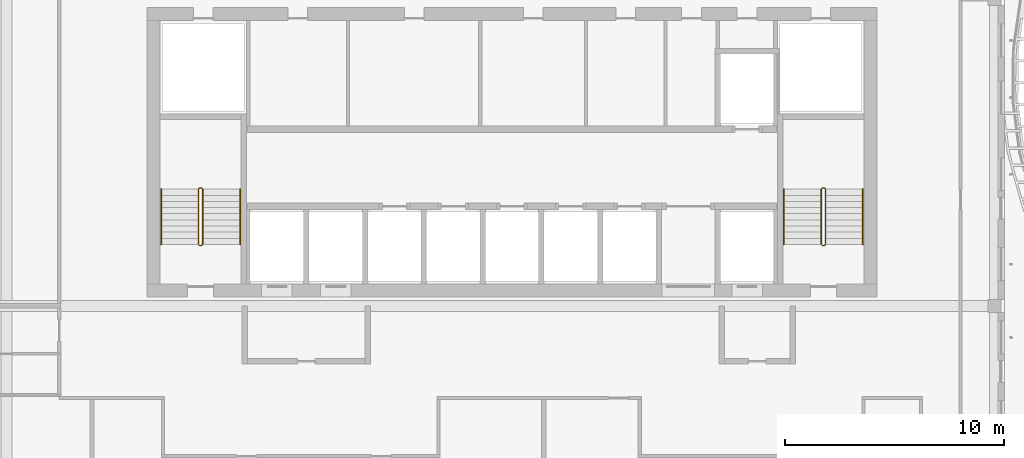
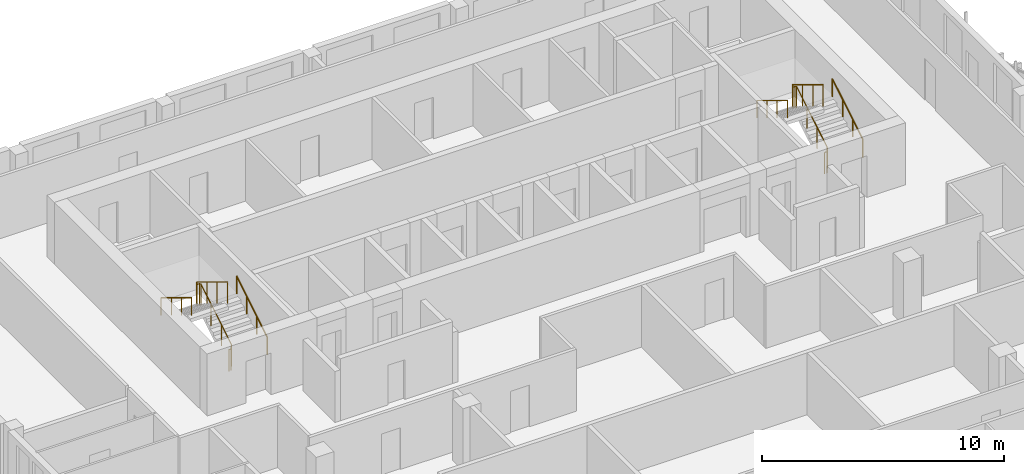
# One storey, part 16 of 17: 6 railings.
"""IFC4 building model written with IfcOpenShell, lengths in metres."""

from ifc_helpers import new_model, si_unit, direction, frame, origin, origin_2d, place, context, subcontext, project, spatial, circle, extrude, material, type_object, element, save


model = new_model("IFC4")

# Units and contexts
model_context = context("Model", 3, precision=1e-05, world=origin(), true_north=direction((0.0, 1.0)))
body_context = subcontext(model_context, "Body", "Model", "MODEL_VIEW")
ifc_project = project(units=[si_unit("LENGTHUNIT", "METRE"), si_unit("AREAUNIT", "SQUARE_METRE"), si_unit("VOLUMEUNIT", "CUBIC_METRE"), si_unit("PLANEANGLEUNIT", "RADIAN"), si_unit("MASSUNIT", "GRAM", prefix="KILO")], contexts=[model_context])

# Site, building, storey
site_placement = place(None, origin())
site = spatial("IfcSite", under=ifc_project, at=site_placement, CompositionType="ELEMENT")
building_placement = place(site_placement, origin())
building = spatial("IfcBuilding", under=site, at=building_placement, Name="Kilnfold Tower and Market Hall", CompositionType="ELEMENT")
storey_placement = place(building_placement, frame((0.0, 0.0, 305.199951171875)))
storey = spatial("IfcBuildingStorey", under=building, at=storey_placement, Name="L76", CompositionType="ELEMENT", Elevation=305.199951171875)

# Railings
ifc_material_1 = material(Name="Stainless steel 316", Category="steel")
railing_type_1 = type_object("IfcRailingType", Name="CORE STAIR GUARD 1100", PredefinedType="GUARDRAIL", material=ifc_material_1)
railing_1_placement = place(storey_placement, frame((-13.199951171875, 10.75, 0.0)))
element("IfcRailing", 1, at=railing_1_placement, inside=storey, type_object=railing_type_1, Name="L76 ST1 stair guard 1", PredefinedType="GUARDRAIL", context=body_context, shape_type="SweptSolid", body=[
    extrude(circle(Radius=0.02392578125, at=origin_2d()), frame((0.0, 0.0, 1.076171875), z_axis=(1.0, 0.0, 0.0), x_axis=(0.0, 1.0, 0.0)), (0.0, 0.0, 1.0), 0.099853515625),
    extrude(circle(Radius=0.02392578125, at=origin_2d()), frame((0.099853515625, 0.0, 1.076171875), z_axis=(0.271562723297, 0.271562723297, 0.923313259209), x_axis=(-0.707106781187, 0.707106781187, 0.0)), (0.0, 0.0, 1.0), 0.184326171875),
    extrude(circle(Radius=0.02392578125, at=origin_2d()), frame((0.14990234375, 0.050048828125, 1.24609375), z_axis=(0.0, 0.854821627497, 0.518921945155), x_axis=(-1.0, 0.0, 0.0)), (0.0, 0.0, 1.0), 2.947998046875),
    extrude(circle(Radius=0.02392578125, at=origin_2d()), frame((0.14990234375, 2.570068359375, 2.77587890625), z_axis=(-0.707106781187, 0.707106781187, 0.0), x_axis=(-0.707106781187, -0.707106781187, 0.0)), (0.0, 0.0, 1.0), 0.07080078125),
    extrude(circle(Radius=0.02392578125, at=origin_2d()), frame((0.099853515625, 2.6201171875, 2.77587890625), z_axis=(-1.0, 0.0, 0.0), x_axis=(0.0, -1.0, 0.0)), (0.0, 0.0, 1.0), 0.099853515625),
    extrude(circle(Radius=0.02392578125, at=origin_2d()), frame((0.0, 2.6201171875, 2.77587890625), z_axis=(-0.271562723297, -0.271562723297, 0.923313259209), x_axis=(0.707106781187, -0.707106781187, 0.0)), (0.0, 0.0, 1.0), 0.184326171875),
    extrude(circle(Radius=0.02392578125, at=origin_2d()), frame((-0.050048828125, 2.570068359375, 2.9462890625), z_axis=(0.0, -0.85478489116, 0.518982456201), x_axis=(1.0, 0.0, 0.0)), (0.0, 0.0, 1.0), 2.9482421875),
    extrude(circle(Radius=0.02099609375, at=origin_2d()), origin(), (0.0, 0.0, 1.0), 1.052001953125),
    extrude(circle(Radius=0.02099609375, at=origin_2d()), frame((0.099853515625, 0.0, 0.0)), (0.0, 0.0, 1.0), 1.052001953125),
    extrude(circle(Radius=0.02099609375, at=origin_2d()), frame((0.14990234375, 0.050048828125, 0.170166015625)), (0.0, 0.0, 1.0), 1.052001953125),
    extrude(circle(Radius=0.02099609375, at=origin_2d()), frame((0.14990234375, 0.89013671875, 0.68017578125)), (0.0, 0.0, 1.0), 1.052001953125),
    extrude(circle(Radius=0.02099609375, at=origin_2d()), frame((0.14990234375, 1.72998046875, 1.18994140625)), (0.0, 0.0, 1.0), 1.052001953125),
    extrude(circle(Radius=0.02099609375, at=origin_2d()), frame((0.14990234375, 2.570068359375, 1.699951171875)), (0.0, 0.0, 1.0), 1.052001953125),
    extrude(circle(Radius=0.02099609375, at=origin_2d()), frame((0.099853515625, 2.6201171875, 1.699951171875)), (0.0, 0.0, 1.0), 1.052001953125),
    extrude(circle(Radius=0.02099609375, at=origin_2d()), frame((0.0, 2.6201171875, 1.699951171875)), (0.0, 0.0, 1.0), 1.052001953125),
    extrude(circle(Radius=0.02099609375, at=origin_2d()), frame((-0.050048828125, 2.570068359375, 1.8701171875)), (0.0, 0.0, 1.0), 1.052001953125),
    extrude(circle(Radius=0.02099609375, at=origin_2d()), frame((-0.050048828125, 1.72998046875, 2.380126953125)), (0.0, 0.0, 1.0), 1.052001953125),
    extrude(circle(Radius=0.02099609375, at=origin_2d()), frame((-0.050048828125, 0.89013671875, 2.89013671875)), (0.0, 0.0, 1.0), 1.052001953125),
    extrude(circle(Radius=0.02099609375, at=origin_2d()), frame((-0.050048828125, 0.050048828125, 3.400146484375)), (0.0, 0.0, 1.0), 1.052001953125),
])
railing_2_placement = place(storey_placement, frame((15.199951171875, 10.75, 0.0)))
element("IfcRailing", 2, at=railing_2_placement, inside=storey, type_object=railing_type_1, Name="L76 ST2 stair guard 1", PredefinedType="GUARDRAIL", context=body_context, shape_type="SweptSolid", body=[
    extrude(circle(Radius=0.02392578125, at=origin_2d()), frame((0.0, 0.0, 1.076171875), z_axis=(1.0, 0.0, 0.0), x_axis=(0.0, 1.0, 0.0)), (0.0, 0.0, 1.0), 0.10009765625),
    extrude(circle(Radius=0.02392578125, at=origin_2d()), frame((0.10009765625, 0.0, 1.076171875), z_axis=(0.271562723297, 0.271562723297, 0.923313259209), x_axis=(-0.707106781187, 0.707106781187, 0.0)), (0.0, 0.0, 1.0), 0.184326171875),
    extrude(circle(Radius=0.02392578125, at=origin_2d()), frame((0.150146484375, 0.050048828125, 1.24609375), z_axis=(0.0, 0.854821627497, 0.518921945155), x_axis=(-1.0, 0.0, 0.0)), (0.0, 0.0, 1.0), 2.947998046875),
    extrude(circle(Radius=0.02392578125, at=origin_2d()), frame((0.150146484375, 2.570068359375, 2.77587890625), z_axis=(-0.707106781187, 0.707106781187, 0.0), x_axis=(-0.707106781187, -0.707106781187, 0.0)), (0.0, 0.0, 1.0), 0.07080078125),
    extrude(circle(Radius=0.02392578125, at=origin_2d()), frame((0.10009765625, 2.6201171875, 2.77587890625), z_axis=(-1.0, 0.0, 0.0), x_axis=(0.0, -1.0, 0.0)), (0.0, 0.0, 1.0), 0.10009765625),
    extrude(circle(Radius=0.02392578125, at=origin_2d()), frame((0.0, 2.6201171875, 2.77587890625), z_axis=(-0.271562723297, -0.271562723297, 0.923313259209), x_axis=(0.707106781187, -0.707106781187, 0.0)), (0.0, 0.0, 1.0), 0.184326171875),
    extrude(circle(Radius=0.02392578125, at=origin_2d()), frame((-0.050048828125, 2.570068359375, 2.9462890625), z_axis=(0.0, -0.85478489116, 0.518982456201), x_axis=(1.0, 0.0, 0.0)), (0.0, 0.0, 1.0), 2.9482421875),
    extrude(circle(Radius=0.02099609375, at=origin_2d()), origin(), (0.0, 0.0, 1.0), 1.052001953125),
    extrude(circle(Radius=0.02099609375, at=origin_2d()), frame((0.10009765625, 0.0, 0.0)), (0.0, 0.0, 1.0), 1.052001953125),
    extrude(circle(Radius=0.02099609375, at=origin_2d()), frame((0.150146484375, 0.050048828125, 0.170166015625)), (0.0, 0.0, 1.0), 1.052001953125),
    extrude(circle(Radius=0.02099609375, at=origin_2d()), frame((0.150146484375, 0.89013671875, 0.68017578125)), (0.0, 0.0, 1.0), 1.052001953125),
    extrude(circle(Radius=0.02099609375, at=origin_2d()), frame((0.150146484375, 1.72998046875, 1.18994140625)), (0.0, 0.0, 1.0), 1.052001953125),
    extrude(circle(Radius=0.02099609375, at=origin_2d()), frame((0.150146484375, 2.570068359375, 1.699951171875)), (0.0, 0.0, 1.0), 1.052001953125),
    extrude(circle(Radius=0.02099609375, at=origin_2d()), frame((0.10009765625, 2.6201171875, 1.699951171875)), (0.0, 0.0, 1.0), 1.052001953125),
    extrude(circle(Radius=0.02099609375, at=origin_2d()), frame((0.0, 2.6201171875, 1.699951171875)), (0.0, 0.0, 1.0), 1.052001953125),
    extrude(circle(Radius=0.02099609375, at=origin_2d()), frame((-0.050048828125, 2.570068359375, 1.8701171875)), (0.0, 0.0, 1.0), 1.052001953125),
    extrude(circle(Radius=0.02099609375, at=origin_2d()), frame((-0.050048828125, 1.72998046875, 2.380126953125)), (0.0, 0.0, 1.0), 1.052001953125),
    extrude(circle(Radius=0.02099609375, at=origin_2d()), frame((-0.050048828125, 0.89013671875, 2.89013671875)), (0.0, 0.0, 1.0), 1.052001953125),
    extrude(circle(Radius=0.02099609375, at=origin_2d()), frame((-0.050048828125, 0.050048828125, 3.400146484375)), (0.0, 0.0, 1.0), 1.052001953125),
])
ifc_material_2 = material(Name="Stainless steel 316", Category="steel")
railing_type_2 = type_object("IfcRailingType", Name="CORE STAIR HANDRAIL 900", PredefinedType="HANDRAIL", material=ifc_material_2)
railing_3_placement = place(storey_placement, frame((-11.35009765625, 10.800048828125, 0.170166015625)))
element("IfcRailing", 3, at=railing_3_placement, inside=storey, type_object=railing_type_2, Name="L76 ST1 stair handrail 1", PredefinedType="HANDRAIL", context=body_context, shape_type="SweptSolid", body=[
    extrude(circle(Radius=0.02392578125, at=origin_2d()), frame((0.0, 0.0, 0.8759765625), z_axis=(0.0, 0.854821627497, 0.518921945155), x_axis=(-1.0, 0.0, 0.0)), (0.0, 0.0, 1.0), 2.947998046875),
    extrude(circle(Radius=0.02099609375, at=origin_2d()), origin(), (0.0, 0.0, 1.0), 0.851806640625),
    extrude(circle(Radius=0.02099609375, at=origin_2d()), frame((0.0, 0.840087890625, 0.510009765625)), (0.0, 0.0, 1.0), 0.851806640625),
    extrude(circle(Radius=0.02099609375, at=origin_2d()), frame((0.0, 1.679931640625, 1.019775390625)), (0.0, 0.0, 1.0), 0.851806640625),
    extrude(circle(Radius=0.02099609375, at=origin_2d()), frame((0.0, 2.52001953125, 1.52978515625)), (0.0, 0.0, 1.0), 0.851806640625),
])
railing_4_placement = place(storey_placement, frame((-14.949951171875, 13.320068359375, 1.8701171875)))
element("IfcRailing", 4, at=railing_4_placement, inside=storey, type_object=railing_type_2, Name="L76 ST1 stair handrail 2", PredefinedType="HANDRAIL", context=body_context, shape_type="SweptSolid", body=[
    extrude(circle(Radius=0.02392578125, at=origin_2d()), frame((0.0, 0.0, 0.8759765625), z_axis=(0.0, -0.85478489116, 0.518982456201), x_axis=(1.0, 0.0, 0.0)), (0.0, 0.0, 1.0), 2.9482421875),
    extrude(circle(Radius=0.02099609375, at=origin_2d()), origin(), (0.0, 0.0, 1.0), 0.851806640625),
    extrude(circle(Radius=0.02099609375, at=origin_2d()), frame((0.0, -0.840087890625, 0.510009765625)), (0.0, 0.0, 1.0), 0.851806640625),
    extrude(circle(Radius=0.02099609375, at=origin_2d()), frame((0.0, -1.679931640625, 1.02001953125)), (0.0, 0.0, 1.0), 0.851806640625),
    extrude(circle(Radius=0.02099609375, at=origin_2d()), frame((0.0, -2.52001953125, 1.530029296875)), (0.0, 0.0, 1.0), 0.851806640625),
])
railing_5_placement = place(storey_placement, frame((17.050048828125, 10.800048828125, 0.170166015625)))
element("IfcRailing", 5, at=railing_5_placement, inside=storey, type_object=railing_type_2, Name="L76 ST2 stair handrail 1", PredefinedType="HANDRAIL", context=body_context, shape_type="SweptSolid", body=[
    extrude(circle(Radius=0.02392578125, at=origin_2d()), frame((0.0, 0.0, 0.8759765625), z_axis=(0.0, 0.854821627497, 0.518921945155), x_axis=(-1.0, 0.0, 0.0)), (0.0, 0.0, 1.0), 2.947998046875),
    extrude(circle(Radius=0.02099609375, at=origin_2d()), origin(), (0.0, 0.0, 1.0), 0.851806640625),
    extrude(circle(Radius=0.02099609375, at=origin_2d()), frame((0.0, 0.840087890625, 0.510009765625)), (0.0, 0.0, 1.0), 0.851806640625),
    extrude(circle(Radius=0.02099609375, at=origin_2d()), frame((0.0, 1.679931640625, 1.019775390625)), (0.0, 0.0, 1.0), 0.851806640625),
    extrude(circle(Radius=0.02099609375, at=origin_2d()), frame((0.0, 2.52001953125, 1.52978515625)), (0.0, 0.0, 1.0), 0.851806640625),
])
railing_6_placement = place(storey_placement, frame((13.449951171875, 13.320068359375, 1.8701171875)))
element("IfcRailing", 6, at=railing_6_placement, inside=storey, type_object=railing_type_2, Name="L76 ST2 stair handrail 2", PredefinedType="HANDRAIL", context=body_context, shape_type="SweptSolid", body=[
    extrude(circle(Radius=0.02392578125, at=origin_2d()), frame((0.0, 0.0, 0.8759765625), z_axis=(0.0, -0.85478489116, 0.518982456201), x_axis=(1.0, 0.0, 0.0)), (0.0, 0.0, 1.0), 2.9482421875),
    extrude(circle(Radius=0.02099609375, at=origin_2d()), origin(), (0.0, 0.0, 1.0), 0.851806640625),
    extrude(circle(Radius=0.02099609375, at=origin_2d()), frame((0.0, -0.840087890625, 0.510009765625)), (0.0, 0.0, 1.0), 0.851806640625),
    extrude(circle(Radius=0.02099609375, at=origin_2d()), frame((0.0, -1.679931640625, 1.02001953125)), (0.0, 0.0, 1.0), 0.851806640625),
    extrude(circle(Radius=0.02099609375, at=origin_2d()), frame((0.0, -2.52001953125, 1.530029296875)), (0.0, 0.0, 1.0), 0.851806640625),
])

save(model, "model.ifc")
